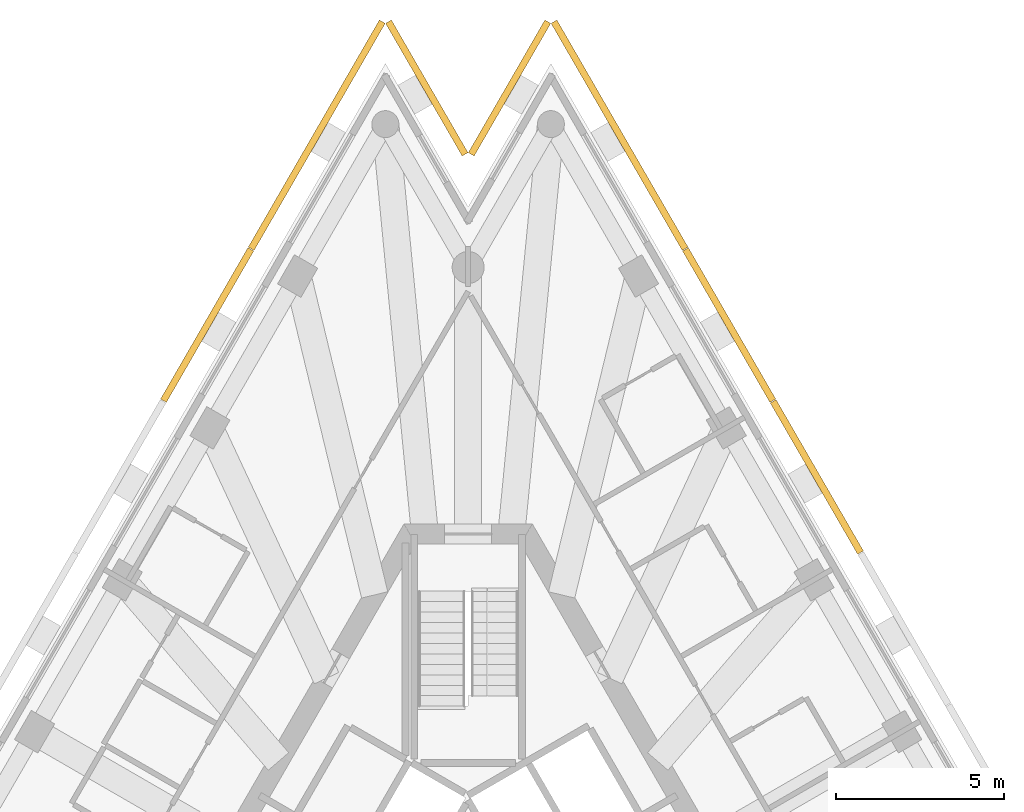
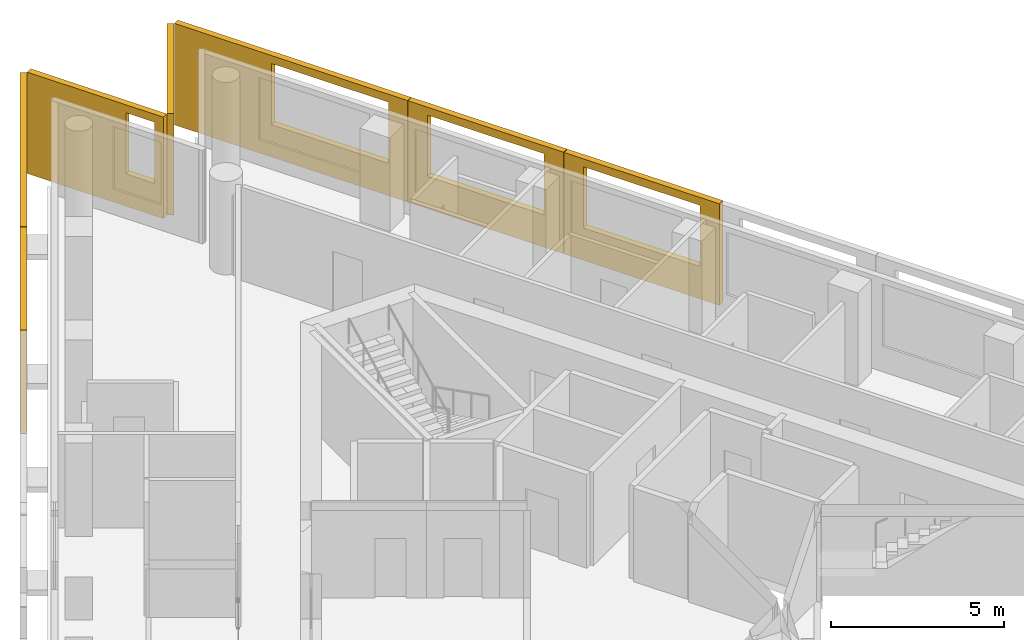
# One storey, part 10 of 10: 7 shading devices.
"""IFC4 building model written with IfcOpenShell, lengths in metres."""

from ifc_helpers import new_model, si_unit, direction, frame, origin, place, context, subcontext, project, spatial, polyline, outline, extrude, material, layer, layer_set, type_object, element, save


model = new_model("IFC4")

# Units and contexts
model_context = context("Model", 3, precision=1e-05, world=origin(), true_north=direction((0.0, 1.0)))
body_context = subcontext(model_context, "Body", "Model", "MODEL_VIEW")
ifc_project = project(units=[si_unit("LENGTHUNIT", "METRE"), si_unit("AREAUNIT", "SQUARE_METRE"), si_unit("VOLUMEUNIT", "CUBIC_METRE"), si_unit("PLANEANGLEUNIT", "RADIAN"), si_unit("MASSUNIT", "GRAM", prefix="KILO")], contexts=[model_context])

# Site, building, storey
site_placement = place(None, origin())
site = spatial("IfcSite", under=ifc_project, at=site_placement, CompositionType="ELEMENT")
building_placement = place(site_placement, origin())
building = spatial("IfcBuilding", under=site, at=building_placement, Name="Triada Interchange Tower", CompositionType="ELEMENT")
storey_placement = place(building_placement, frame((0.0, 0.0, 318.699951171875)))
storey = spatial("IfcBuildingStorey", under=building, at=storey_placement, Name="L76", CompositionType="ELEMENT", Elevation=318.699951171875)

# Shading devices
ifc_material = material(Name="Concrete C50/60 precast", Category="concrete")
ifc_layer_1 = layer(ifc_material, 0.02001953125, Name="Exposed aggregate face")
ifc_layer_2 = layer(ifc_material, 0.179931640625, Name="Precast concrete screen")
ifc_layer_set = layer_set([ifc_layer_1, ifc_layer_2], Name="Outer skin screen panel 3580")
shading_device_type = type_object("IfcShadingDeviceType", Name="Outer skin screen panel 3580", PredefinedType="SHUTTER", material=ifc_layer_set)
shading_device_1_placement = place(storey_placement, frame((-2.4619140625, 28.4609375, -0.2900390625), z_axis=(0.0, 0.0, 1.0), x_axis=(-0.500058146775, -0.865991830126, 0.0)))
element("IfcShadingDevice", 1, at=shading_device_1_placement, inside=storey, type_object=shading_device_type, Name="Outer skin screen panel L76 01", PredefinedType="SHUTTER", context=body_context, shape_type="SweptSolid", body=[
    extrude(outline(polyline([(0.0, 0.0), (7.78515625, 0.0), (7.78515625, 3.580078125), (0.0, 3.580078125), (0.0, 0.0)]), holes=[polyline([(3.24169921875, 1.139892578125), (3.24169921875, 3.300048828125), (7.1416015625, 3.300048828125), (7.1416015625, 1.139892578125), (3.24169921875, 1.139892578125)])]), frame((0.0, 0.0, 0.0), z_axis=(0.0, -1.0, 0.0), x_axis=(1.0, 0.0, 0.0)), (0.0, 0.0, 1.0), 0.199951171875),
])
shading_device_2_placement = place(storey_placement, frame((-6.364990234375, 21.701904296875, -0.2900390625), z_axis=(0.0, 0.0, 1.0), x_axis=(-0.49985961515, -0.866106439846, 0.0)))
element("IfcShadingDevice", 2, at=shading_device_2_placement, inside=storey, type_object=shading_device_type, Name="Outer skin screen panel L76 02", PredefinedType="SHUTTER", context=body_context, shape_type="SweptSolid", body=[
    extrude(outline(polyline([(0.0, 0.0), (5.1875, 0.0), (5.1875, 3.580078125), (0.0, 3.580078125), (0.0, 0.0)]), holes=[polyline([(0.643310546875, 1.139892578125), (0.643310546875, 3.300048828125), (4.543212890625, 3.300048828125), (4.543212890625, 1.139892578125), (0.643310546875, 1.139892578125)])]), frame((0.0, 0.0, 0.0), z_axis=(0.0, -1.0, 0.0), x_axis=(1.0, 0.0, 0.0)), (0.0, 0.0, 1.0), 0.199951171875),
])
shading_device_3_placement = place(storey_placement, frame((11.56201171875, 12.699951171875, -0.2900390625), z_axis=(0.0, 0.0, 1.0), x_axis=(-0.500082331196, 0.865977864628, 0.0)))
element("IfcShadingDevice", 3, at=shading_device_3_placement, inside=storey, type_object=shading_device_type, Name="Outer skin screen panel L76 26", PredefinedType="SHUTTER", context=body_context, shape_type="SweptSolid", body=[
    extrude(outline(polyline([(0.0, 0.0), (5.187255859375, 0.0), (5.187255859375, 3.580078125), (0.0, 3.580078125), (0.0, 0.0)]), holes=[polyline([(0.643798828125, 1.139892578125), (0.643798828125, 3.300048828125), (4.5439453125, 3.300048828125), (4.5439453125, 1.139892578125), (0.643798828125, 1.139892578125)])]), frame((0.0, 0.0, 0.0), z_axis=(0.0, -1.0, 0.0), x_axis=(1.0, 0.0, 0.0)), (0.0, 0.0, 1.0), 0.199951171875),
])
shading_device_4_placement = place(storey_placement, frame((8.9580078125, 17.208984375, -0.2900390625), z_axis=(0.0, 0.0, 1.0), x_axis=(-0.49985961515, 0.866106439846, 0.0)))
element("IfcShadingDevice", 4, at=shading_device_4_placement, inside=storey, type_object=shading_device_type, Name="Outer skin screen panel L76 27", PredefinedType="SHUTTER", context=body_context, shape_type="SweptSolid", body=[
    extrude(outline(polyline([(0.0, 0.0), (5.1875, 0.0), (5.1875, 3.580078125), (0.0, 3.580078125), (0.0, 0.0)]), holes=[polyline([(0.643798828125, 1.139892578125), (0.643798828125, 3.300048828125), (4.543701171875, 3.300048828125), (4.543701171875, 1.139892578125), (0.643798828125, 1.139892578125)])]), frame((0.0, 0.0, 0.0), z_axis=(0.0, -1.0, 0.0), x_axis=(1.0, 0.0, 0.0)), (0.0, 0.0, 1.0), 0.199951171875),
])
shading_device_5_placement = place(storey_placement, frame((6.35498046875, 21.718994140625, -0.2900390625), z_axis=(0.0, 0.0, 1.0), x_axis=(-0.500058146775, 0.865991830126, 0.0)))
element("IfcShadingDevice", 5, at=shading_device_5_placement, inside=storey, type_object=shading_device_type, Name="Outer skin screen panel L76 28", PredefinedType="SHUTTER", context=body_context, shape_type="SweptSolid", body=[
    extrude(outline(polyline([(0.0, 0.0), (7.78515625, 0.0), (7.78515625, 3.580078125), (0.0, 3.580078125), (0.0, 0.0)]), holes=[polyline([(0.643310546875, 1.139892578125), (0.643310546875, 3.300048828125), (4.54345703125, 3.300048828125), (4.54345703125, 1.139892578125), (0.643310546875, 1.139892578125)])]), frame((0.0, 0.0, 0.0), z_axis=(0.0, -1.0, 0.0), x_axis=(1.0, 0.0, 0.0)), (0.0, 0.0, 1.0), 0.199951171875),
])
shading_device_6_placement = place(storey_placement, frame((2.451904296875, 28.4609375, -0.2900390625), z_axis=(0.0, 0.0, 1.0), x_axis=(-0.500053962254, -0.865994246421, 0.0)))
element("IfcShadingDevice", 6, at=shading_device_6_placement, inside=storey, type_object=shading_device_type, Name="Outer skin screen panel L76 29", PredefinedType="SHUTTER", context=body_context, shape_type="SweptSolid", body=[
    extrude(outline(polyline([(0.0, 0.0), (4.54736328125, 0.0), (4.54736328125, 3.580078125), (0.0, 3.580078125), (0.0, 0.0)]), holes=[polyline([(3.175537109375, 1.139892578125), (3.175537109375, 3.300048828125), (4.247802734375, 3.300048828125), (4.247802734375, 1.139892578125), (3.175537109375, 1.139892578125)])]), frame((0.0, 0.0, 0.0), z_axis=(0.0, -1.0, 0.0), x_axis=(1.0, 0.0, 0.0)), (0.0, 0.0, 1.0), 0.199951171875),
])
shading_device_7_placement = place(storey_placement, frame((-0.177978515625, 24.52294921875, -0.2900390625), z_axis=(0.0, 0.0, 1.0), x_axis=(-0.500053962254, 0.865994246421, 0.0)))
element("IfcShadingDevice", 7, at=shading_device_7_placement, inside=storey, type_object=shading_device_type, Name="Outer skin screen panel L76 30", PredefinedType="SHUTTER", context=body_context, shape_type="SweptSolid", body=[
    extrude(outline(polyline([(0.0, 0.0), (4.54736328125, 0.0), (4.54736328125, 3.580078125), (0.0, 3.580078125), (0.0, 0.0)]), holes=[polyline([(0.300048828125, 1.139892578125), (0.300048828125, 3.300048828125), (1.2578125, 3.300048828125), (1.2578125, 1.139892578125), (0.300048828125, 1.139892578125)])]), frame((0.0, 0.0, 0.0), z_axis=(0.0, -1.0, 0.0), x_axis=(1.0, 0.0, 0.0)), (0.0, 0.0, 1.0), 0.199951171875),
])

save(model, "model.ifc")
